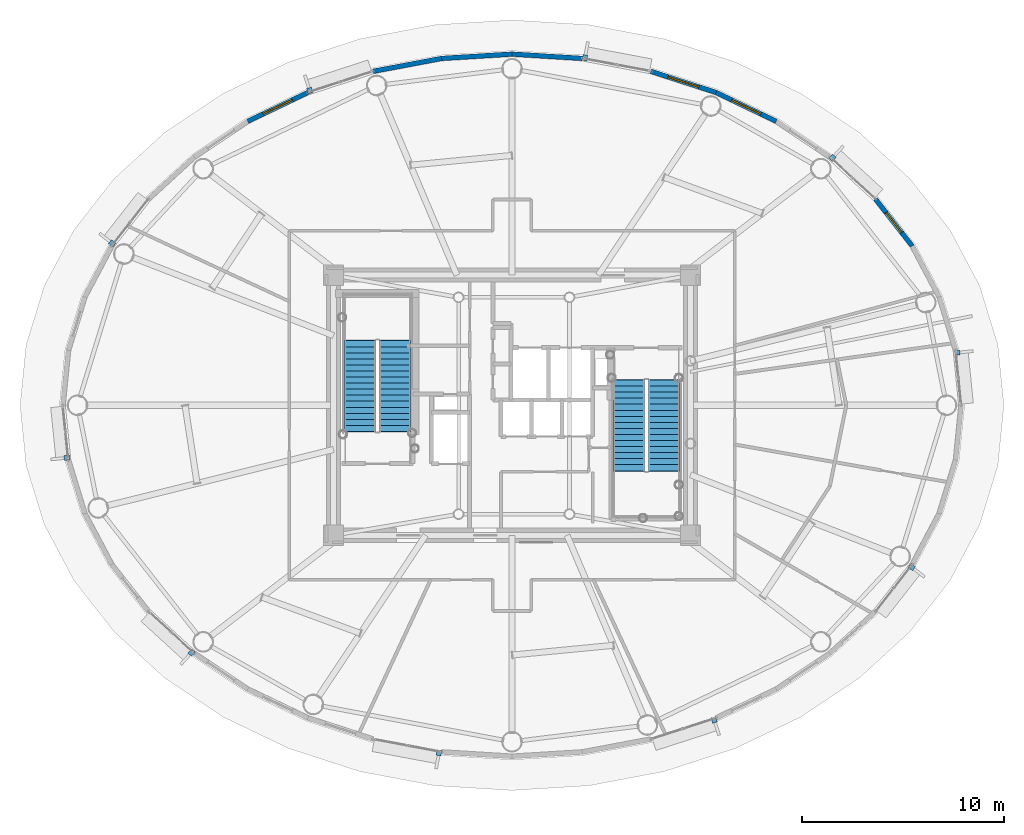
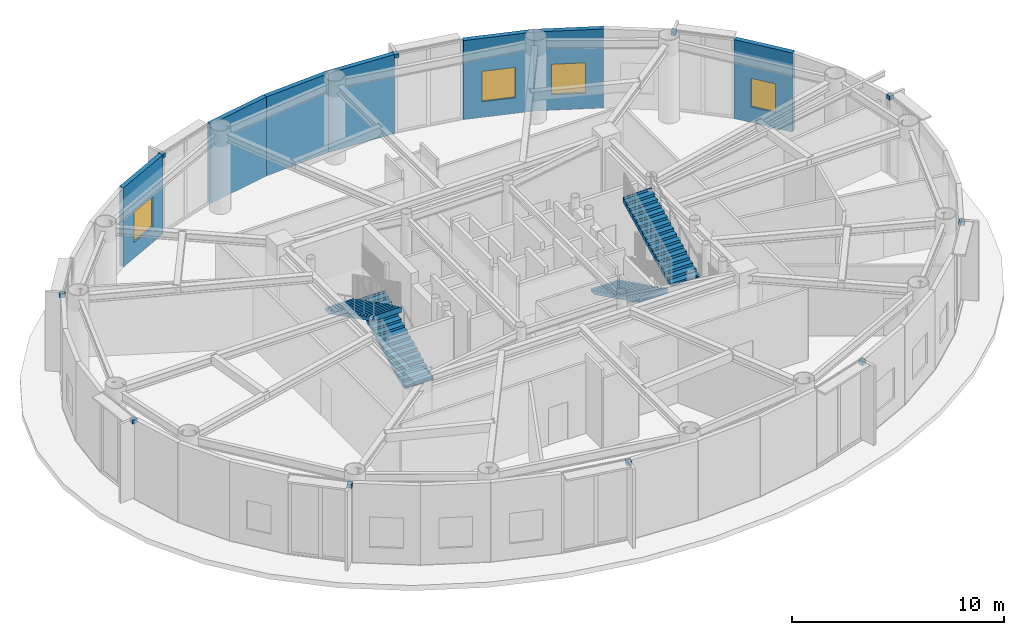
# One storey, part 25 of 32: 10 discrete accessories, 7 walls, 4 stair flights, 4 windows, 4 openings, 2 elements without a shape of their own.
"""IFC4 building model written with IfcOpenShell, lengths in metres."""

from ifc_helpers import new_model, si_unit, direction, frame, frame_2d, origin, origin_2d, place, context, subcontext, project, spatial, polyline, rectangle, outline, extrude, source, transform, mapped, material, layer, layer_set, type_object, element, fill, aggregate, save


model = new_model("IFC4")

# Units and contexts
model_context = context("Model", 3, precision=1e-05, world=origin(), true_north=direction((0.0, 1.0)))
body_context = subcontext(model_context, "Body", "Model", "MODEL_VIEW")
ifc_project = project(units=[si_unit("LENGTHUNIT", "METRE"), si_unit("AREAUNIT", "SQUARE_METRE"), si_unit("VOLUMEUNIT", "CUBIC_METRE"), si_unit("PLANEANGLEUNIT", "RADIAN"), si_unit("MASSUNIT", "GRAM", prefix="KILO")], contexts=[model_context])

# Site, building, storey
site_placement = place(None, origin())
site = spatial("IfcSite", under=ifc_project, at=site_placement, CompositionType="ELEMENT")
building_placement = place(site_placement, origin())
building = spatial("IfcBuilding", under=site, at=building_placement, Name="Linh Dai School and Residence Tower", CompositionType="ELEMENT")
storey_placement = place(building_placement, frame((0.0, 0.0, 268.199951171875)))
storey = spatial("IfcBuildingStorey", under=building, at=storey_placement, Name="L66", CompositionType="ELEMENT", Elevation=268.199951171875)

# Wall, opening, window
ifc_material_1 = material(Name="Precast Concrete B45 (C35/45)", Category="concrete")
ifc_layer = layer(ifc_material_1, 0.239990234375)
ifc_layer_set = layer_set([ifc_layer], Name="Precast Concrete B45 (C35/45)")
wall_type = type_object("IfcWallType", Name="EW-TC-240", PredefinedType="SOLIDWALL", material=ifc_layer_set)
wall_1_placement = place(storey_placement, frame((54.0302734375, 37.224609375, 0.0), z_axis=(0.0, 0.0, 1.0), x_axis=(0.616337186556, -0.787482363275, 0.0)))
wall_1 = element("IfcWall", 1, at=wall_1_placement, inside=storey, type_object=wall_type, Name="L66 Terracotta Exterior Wall 04", PredefinedType="SOLIDWALL", context=body_context, shape_type="SweptSolid", body=[
    extrude(rectangle(XDim=2.95849609375, YDim=0.239990234375, at=frame_2d((1.479248046875, 0.0))), origin(), (0.0, 0.0, 1.0), 4.550048828125),
])
opening_1_placement = place(wall_1_placement, frame((0.85400390625, 0.0, 0.89990234375)))
opening_1 = element("IfcOpeningElement", 2, at=opening_1_placement, cuts=wall_1, Name="Opening W3", PredefinedType="OPENING", context=body_context, shape_type="SweptSolid", body=[
    extrude(rectangle(XDim=1.25, YDim=1.64990234375, at=origin_2d()), frame((0.625, 0.1298828125, 0.824951171875), z_axis=(0.0, -1.0, 0.0), x_axis=(1.0, 0.0, 0.0)), (0.0, 0.0, 1.0), 0.260009765625),
])
ifc_material_2 = material(Name="Double Low-E Insulated Glazing", Category="glass")
window_type_1 = type_object("IfcWindowType", Name="WN-RES-1250x1650", PartitioningType="SINGLE_PANEL", PredefinedType="WINDOW", material=ifc_material_2)
shared_shape_1 = source(origin(), body_context, "Body", "SweptSolid", [
    extrude(rectangle(XDim=1.25, YDim=1.64990234375, at=origin_2d()), frame((0.625, 0.030029296875, 0.824951171875), z_axis=(0.0, -1.0, 0.0), x_axis=(1.0, 0.0, 0.0)), (0.0, 0.0, 1.0), 0.06005859375),
])
window_1_placement = place(opening_1_placement, origin())
window_1 = element("IfcWindow", 3, at=window_1_placement, inside=storey, type_object=window_type_1, Name="L66 Exterior Window 04.1", OverallHeight=1.64990234375, OverallWidth=1.25, PartitioningType="SINGLE_PANEL", PredefinedType="WINDOW", context=body_context, shape_type="MappedRepresentation", body=[
    mapped(shared_shape_1, transform((0.0, 0.0, 0.0), x_axis=(1.0, 0.0, 0.0), y_axis=(0.0, 1.0, 0.0), z_axis=(0.0, 0.0, 1.0), scale=1.0)),
])
fill(opening_1, window_1)

wall_2_placement = place(storey_placement, frame((46.123046875, 42.51220703125, 0.0), z_axis=(0.0, 0.0, 1.0), x_axis=(0.901573741254, -0.43262546051, 0.0)))
wall_2 = element("IfcWall", 4, at=wall_2_placement, inside=storey, type_object=wall_type, Name="L66 Terracotta Exterior Wall 07", PredefinedType="SOLIDWALL", context=body_context, shape_type="SweptSolid", body=[
    extrude(rectangle(XDim=3.306884765625, YDim=0.239990234375, at=frame_2d((1.6533203125, 0.0))), origin(), (0.0, 0.0, 1.0), 4.550048828125),
])
opening_2_placement = place(wall_2_placement, frame((0.853271484375, 0.0, 0.89990234375)))
opening_2 = element("IfcOpeningElement", 5, at=opening_2_placement, cuts=wall_2, Name="Opening W2", PredefinedType="OPENING", context=body_context, shape_type="SweptSolid", body=[
    extrude(rectangle(XDim=1.60009765625, YDim=1.75, at=origin_2d()), frame((0.800048828125, 0.1298828125, 0.875), z_axis=(0.0, -1.0, 0.0), x_axis=(1.0, 0.0, 0.0)), (0.0, 0.0, 1.0), 0.260009765625),
])
window_type_2 = type_object("IfcWindowType", Name="WN-RES-1600x1750", PartitioningType="DOUBLE_PANEL_VERTICAL", PredefinedType="WINDOW", material=ifc_material_2)
shared_shape_2 = source(origin(), body_context, "Body", "SweptSolid", [
    extrude(rectangle(XDim=1.60009765625, YDim=1.75, at=origin_2d()), frame((0.800048828125, 0.030029296875, 0.875), z_axis=(0.0, -1.0, 0.0), x_axis=(1.0, 0.0, 0.0)), (0.0, 0.0, 1.0), 0.06005859375),
])
window_2_placement = place(opening_2_placement, origin())
window_2 = element("IfcWindow", 6, at=window_2_placement, inside=storey, type_object=window_type_2, Name="L66 Exterior Window 07.1", OverallHeight=1.75, OverallWidth=1.60009765625, PartitioningType="DOUBLE_PANEL_VERTICAL", PredefinedType="WINDOW", context=body_context, shape_type="MappedRepresentation", body=[
    mapped(shared_shape_2, transform((0.0, 0.0, 0.0), x_axis=(1.0, 0.0, 0.0), y_axis=(0.0, 1.0, 0.0), z_axis=(0.0, 0.0, 1.0), scale=1.0)),
])
fill(opening_2, window_2)

wall_3_placement = place(storey_placement, frame((42.89111328125, 43.560302734375, 0.0), z_axis=(0.0, 0.0, 1.0), x_axis=(0.95123136723, -0.308478339592, 0.0)))
wall_3 = element("IfcWall", 7, at=wall_3_placement, inside=storey, type_object=wall_type, Name="L66 Terracotta Exterior Wall 08", PredefinedType="SOLIDWALL", context=body_context, shape_type="SweptSolid", body=[
    extrude(rectangle(XDim=3.397705078125, YDim=0.239990234375, at=frame_2d((1.69873046875, 0.0))), origin(), (0.0, 0.0, 1.0), 4.550048828125),
])
opening_3_placement = place(wall_3_placement, frame((0.898681640625, 0.0, 0.89990234375)))
opening_3 = element("IfcOpeningElement", 8, at=opening_3_placement, cuts=wall_3, Name="Opening W2", PredefinedType="OPENING", context=body_context, shape_type="SweptSolid", body=[
    extrude(rectangle(XDim=1.60009765625, YDim=1.75, at=origin_2d()), frame((0.800048828125, 0.1298828125, 0.875), z_axis=(0.0, -1.0, 0.0), x_axis=(1.0, 0.0, 0.0)), (0.0, 0.0, 1.0), 0.260009765625),
])
window_3_placement = place(opening_3_placement, origin())
window_3 = element("IfcWindow", 9, at=window_3_placement, inside=storey, type_object=window_type_2, Name="L66 Exterior Window 08.1", OverallHeight=1.75, OverallWidth=1.60009765625, PartitioningType="DOUBLE_PANEL_VERTICAL", PredefinedType="WINDOW", context=body_context, shape_type="MappedRepresentation", body=[
    mapped(shared_shape_2, transform((0.0, 0.0, 0.0), x_axis=(1.0, 0.0, 0.0), y_axis=(0.0, 1.0, 0.0), z_axis=(0.0, 0.0, 1.0), scale=1.0)),
])
fill(opening_3, window_3)

# Walls
for number, where, z_axis, x_axis, name in (
    (10, (36.0, 44.4150390625, 0.0), (0.0, 0.0, 1.0), (0.998104946479, -0.061534671648, 0.0), "L66 Terracotta Exterior Wall 10"),
    (11, (32.51123046875, 44.199951171875, 0.0), (0.0, 0.0, 1.0), (0.998104946479, 0.061534671648, 0.0), "L66 Terracotta Exterior Wall 11"),
):
    element("IfcWall", number, at=place(storey_placement, frame(where, z_axis=z_axis, x_axis=x_axis)), inside=storey, type_object=wall_type, Name=name, PredefinedType="SOLIDWALL", context=body_context, shape_type="SweptSolid", body=[
        extrude(rectangle(XDim=3.495361328125, YDim=0.239990234375, at=frame_2d((1.74755859375, 0.0))), origin(), (0.0, 0.0, 1.0), 4.550048828125),
    ])
wall_4_placement = place(storey_placement, frame((29.10888671875, 43.560302734375, 0.0), z_axis=(0.0, 0.0, 1.0), x_axis=(0.982782655757, 0.184765395959, 0.0)))
element("IfcWall", 12, at=wall_4_placement, inside=storey, type_object=wall_type, Name="L66 Terracotta Exterior Wall 12", PredefinedType="SOLIDWALL", context=body_context, shape_type="SweptSolid", body=[
    extrude(rectangle(XDim=3.4619140625, YDim=0.239990234375, at=frame_2d((1.73095703125, 0.0))), origin(), (0.0, 0.0, 1.0), 4.550048828125),
])

# Wall, opening, window
wall_5_placement = place(storey_placement, frame((22.8955078125, 41.08154296875, 0.0), z_axis=(0.0, 0.0, 1.0), x_axis=(0.901573741254, 0.43262546051, 0.0)))
wall_5 = element("IfcWall", 13, at=wall_5_placement, inside=storey, type_object=wall_type, Name="L66 Terracotta Exterior Wall 14", PredefinedType="SOLIDWALL", context=body_context, shape_type="SweptSolid", body=[
    extrude(rectangle(XDim=3.306884765625, YDim=0.239990234375, at=frame_2d((1.6533203125, 0.0))), origin(), (0.0, 0.0, 1.0), 4.550048828125),
])
opening_4_placement = place(wall_5_placement, frame((0.853515625, 0.0, 0.89990234375)))
opening_4 = element("IfcOpeningElement", 14, at=opening_4_placement, cuts=wall_5, Name="Opening W2", PredefinedType="OPENING", context=body_context, shape_type="SweptSolid", body=[
    extrude(rectangle(XDim=1.60009765625, YDim=1.75, at=origin_2d()), frame((0.800048828125, 0.1298828125, 0.875), z_axis=(0.0, -1.0, 0.0), x_axis=(1.0, 0.0, 0.0)), (0.0, 0.0, 1.0), 0.260009765625),
])
window_4_placement = place(opening_4_placement, origin())
window_4 = element("IfcWindow", 15, at=window_4_placement, inside=storey, type_object=window_type_2, Name="L66 Exterior Window 14.1", OverallHeight=1.75, OverallWidth=1.60009765625, PartitioningType="DOUBLE_PANEL_VERTICAL", PredefinedType="WINDOW", context=body_context, shape_type="MappedRepresentation", body=[
    mapped(shared_shape_2, transform((0.0, 0.0, 0.0), x_axis=(1.0, 0.0, 0.0), y_axis=(0.0, 1.0, 0.0), z_axis=(0.0, 0.0, 1.0), scale=1.0)),
])
fill(opening_4, window_4)

# Stair, stair flights
ifc_material_3 = material(Name="Concrete B45 (C35/45)", Category="concrete")
stair_type = type_object("IfcStairType", Name="ST-DOG-1550-R1500", PredefinedType="HALF_TURN_STAIR", material=ifc_material_3)
stair_1_placement = place(storey_placement, origin())
stair_1 = element("IfcStair", 16, at=stair_1_placement, inside=storey, type_object=stair_type, Name="L66 Core Smokeproof Exit Stair ST1", PredefinedType="HALF_TURN_STAIR")
stair_flight_type = type_object("IfcStairFlightType", Name="STF-STR-1550-R1500", PredefinedType="STRAIGHT", material=ifc_material_3)
shared_shape_3 = source(origin(), body_context, "Body", "SweptSolid", [
    extrude(outline(polyline([(-0.02490234375, 0.0), (-0.02490234375, 0.06005859375), (0.0, 0.06005859375), (0.0, 0.14990234375), (0.300048828125, 0.14990234375), (0.300048828125, 0.300048828125), (0.60009765625, 0.300048828125), (0.60009765625, 0.449951171875), (0.89990234375, 0.449951171875), (0.89990234375, 0.60009765625), (1.199951171875, 0.60009765625), (1.199951171875, 0.75), (1.5, 0.75), (1.5, 0.89990234375), (1.800048828125, 0.89990234375), (1.800048828125, 1.050048828125), (2.10009765625, 1.050048828125), (2.10009765625, 1.199951171875), (2.39990234375, 1.199951171875), (2.39990234375, 1.35009765625), (2.699951171875, 1.35009765625), (2.699951171875, 1.5), (3.0, 1.5), (3.0, 1.64990234375), (3.300048828125, 1.64990234375), (3.300048828125, 1.800048828125), (3.60009765625, 1.800048828125), (3.60009765625, 1.949951171875), (3.89990234375, 1.949951171875), (3.89990234375, 2.10009765625), (4.199951171875, 2.10009765625), (4.199951171875, 2.25), (4.5, 2.25), (4.5, 2.39990234375), (4.52490234375, 2.39990234375), (4.52490234375, 2.08251953125), (4.5, 2.08251953125), (0.335205078125, 0.0), (-0.02490234375, 0.0)])), frame((0.0, 0.77490234375, 0.0), z_axis=(0.0, -1.0, 0.0), x_axis=(1.0, 0.0, 0.0)), (0.0, 0.0, 1.0), 1.550048828125),
])
stair_flight_1_placement = place(storey_placement, frame((30.205078125, 25.699951171875, 0.0), z_axis=(0.0, 0.0, 1.0), x_axis=(0.0, 1.0, 0.0)))
stair_flight_1 = element("IfcStairFlight", 17, at=stair_flight_1_placement, type_object=stair_flight_type, Name="ST1 flight 1", NumberOfRisers=16, NumberOfTreads=15, PredefinedType="STRAIGHT", RiserHeight=0.15, TreadLength=0.3, context=body_context, shape_type="MappedRepresentation", body=[
    mapped(shared_shape_3, transform((0.0, 0.0, 0.0), x_axis=(1.0, 0.0, 0.0), y_axis=(0.0, 1.0, 0.0), z_axis=(0.0, 0.0, 1.0), scale=1.0)),
])
stair_flight_2_placement = place(storey_placement, frame((28.455078125, 30.199951171875, 2.400146484375), z_axis=(0.0, 0.0, 1.0), x_axis=(0.0, -1.0, 0.0)))
stair_flight_2 = element("IfcStairFlight", 18, at=stair_flight_2_placement, type_object=stair_flight_type, Name="ST1 flight 2", NumberOfRisers=16, NumberOfTreads=15, PredefinedType="STRAIGHT", RiserHeight=0.15, TreadLength=0.3, context=body_context, shape_type="MappedRepresentation", body=[
    mapped(shared_shape_3, transform((0.0, 0.0, 0.0), x_axis=(1.0, 0.0, 0.0), y_axis=(0.0, 1.0, 0.0), z_axis=(0.0, 0.0, 1.0), scale=1.0)),
])
aggregate(stair_1, [stair_flight_1, stair_flight_2])

stair_2_placement = place(storey_placement, origin())
stair_2 = element("IfcStair", 19, at=stair_2_placement, inside=storey, type_object=stair_type, Name="L66 Core Smokeproof Exit Stair ST2", PredefinedType="HALF_TURN_STAIR")
stair_flight_3_placement = place(storey_placement, frame((41.794921875, 28.25, 0.0), z_axis=(0.0, 0.0, 1.0), x_axis=(0.0, -1.0, 0.0)))
stair_flight_3 = element("IfcStairFlight", 20, at=stair_flight_3_placement, type_object=stair_flight_type, Name="ST2 flight 1", NumberOfRisers=16, NumberOfTreads=15, PredefinedType="STRAIGHT", RiserHeight=0.15, TreadLength=0.3, context=body_context, shape_type="MappedRepresentation", body=[
    mapped(shared_shape_3, transform((0.0, 0.0, 0.0), x_axis=(1.0, 0.0, 0.0), y_axis=(0.0, 1.0, 0.0), z_axis=(0.0, 0.0, 1.0), scale=1.0)),
])
stair_flight_4_placement = place(storey_placement, frame((43.544921875, 23.75, 2.400146484375), z_axis=(0.0, 0.0, 1.0), x_axis=(0.0, 1.0, 0.0)))
stair_flight_4 = element("IfcStairFlight", 21, at=stair_flight_4_placement, type_object=stair_flight_type, Name="ST2 flight 2", NumberOfRisers=16, NumberOfTreads=15, PredefinedType="STRAIGHT", RiserHeight=0.15, TreadLength=0.3, context=body_context, shape_type="MappedRepresentation", body=[
    mapped(shared_shape_3, transform((0.0, 0.0, 0.0), x_axis=(1.0, 0.0, 0.0), y_axis=(0.0, 1.0, 0.0), z_axis=(0.0, 0.0, 1.0), scale=1.0)),
])
aggregate(stair_2, [stair_flight_3, stair_flight_4])

# Discrete accessories
ifc_material_4 = material(Name="Structural Steel S355JR", Category="steel")
discrete_accessory_type = type_object("IfcDiscreteAccessoryType", Name="ACC-BRK-S355", PredefinedType="BRACKET", material=ifc_material_4)
shared_shape_4 = source(origin(), body_context, "Body", "SweptSolid", [
    extrude(rectangle(XDim=0.280029296875, YDim=0.239990234375, at=origin_2d()), origin(), (0.0, 0.0, 1.0), 0.219970703125),
])
for number, where, z_axis, x_axis, name in (
    (22, (58.073486328125, 29.605712890625, 4.30029296875), (0.0, 0.0, 1.0), (0.994986629598, 0.100008034283, 0.0), "L66 Facade Frame Anchor Bracket 01"),
    (23, (51.89111328125, 39.267333984375, 4.30029296875), (0.0, 0.0, 1.0), (0.67577730889, 0.737105846394, 0.0), "L66 Facade Frame Anchor Bracket 05"),
    (24, (39.61767578125, 44.23681640625, 4.30029296875), (0.0, 0.0, 1.0), (0.184751197452, 0.982785325002, 0.0), "L66 Facade Frame Anchor Bracket 09"),
    (25, (25.97265625, 42.606201171875, 4.30029296875), (0.0, 0.0, 1.0), (-0.308518805176, 0.951218243545, 0.0), "L66 Facade Frame Anchor Bracket 13"),
    (26, (16.1728515625, 35.0263671875, 4.30029296875), (0.0, 0.0, 1.0), (-0.78750300393, 0.616310813471, 0.0), "L66 Facade Frame Anchor Bracket 17"),
    (27, (13.926513671875, 24.394287109375, 4.30029296875), (0.0, 0.0, 1.0), (-0.994986629598, -0.100008034283, 0.0), "L66 Facade Frame Anchor Bracket 21"),
    (28, (20.10888671875, 14.732666015625, 4.30029296875), (0.0, 0.0, 1.0), (-0.675779074535, -0.737104227651, 0.0), "L66 Facade Frame Anchor Bracket 25"),
    (29, (32.38232421875, 9.76318359375, 4.30029296875), (0.0, 0.0, 1.0), (-0.184751197452, -0.982785325002, 0.0), "L66 Facade Frame Anchor Bracket 29"),
    (30, (46.02734375, 11.393798828125, 4.30029296875), (0.0, 0.0, 1.0), (0.308518805176, -0.951218243545, 0.0), "L66 Facade Frame Anchor Bracket 33"),
    (31, (55.8271484375, 18.9736328125, 4.30029296875), (0.0, 0.0, 1.0), (0.78750300393, -0.616310813471, 0.0), "L66 Facade Frame Anchor Bracket 37"),
):
    element("IfcDiscreteAccessory", number, at=place(storey_placement, frame(where, z_axis=z_axis, x_axis=x_axis)), inside=storey, type_object=discrete_accessory_type, Name=name, PredefinedType="BRACKET", context=body_context, shape_type="MappedRepresentation", body=[
        mapped(shared_shape_4, transform((0.0, 0.0, 0.0), x_axis=(1.0, 0.0, 0.0), y_axis=(0.0, 1.0, 0.0), z_axis=(0.0, 0.0, 1.0), scale=1.0)),
    ])

save(model, "model.ifc")
